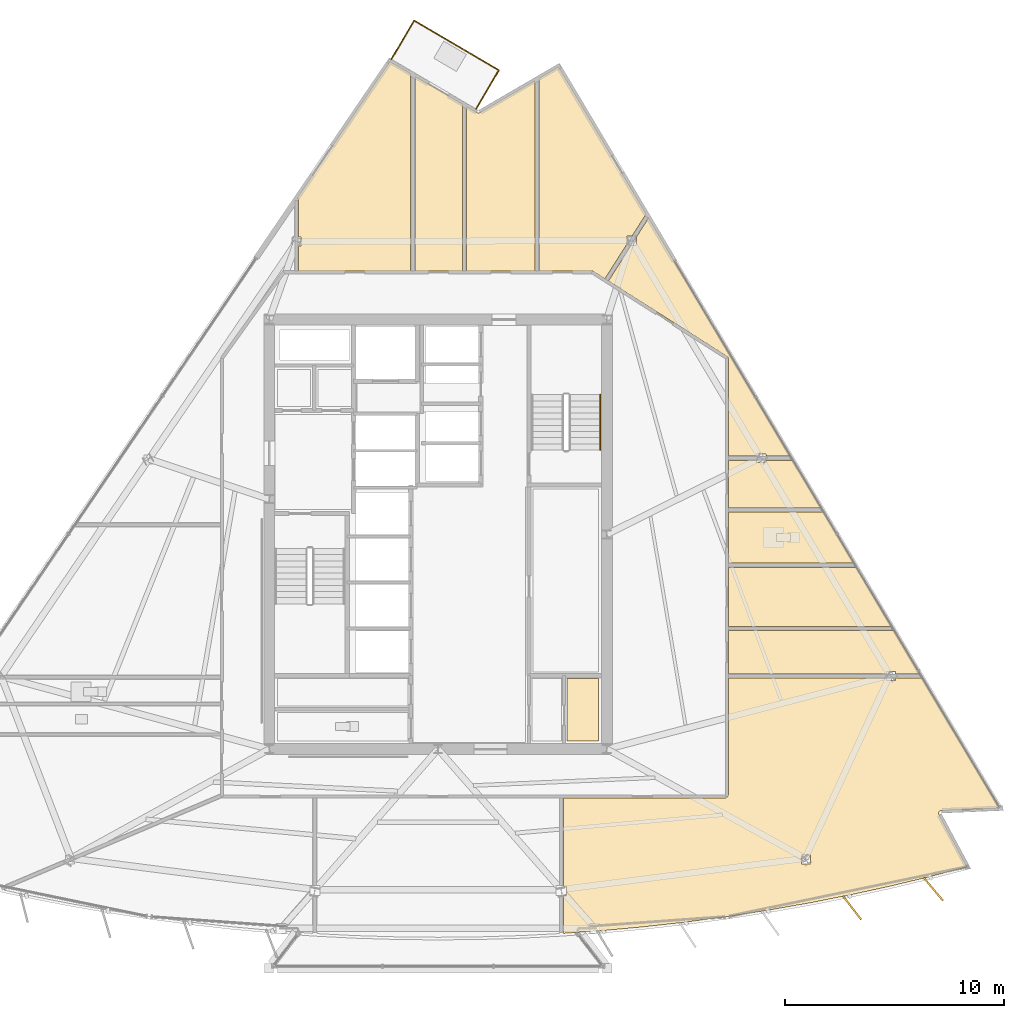
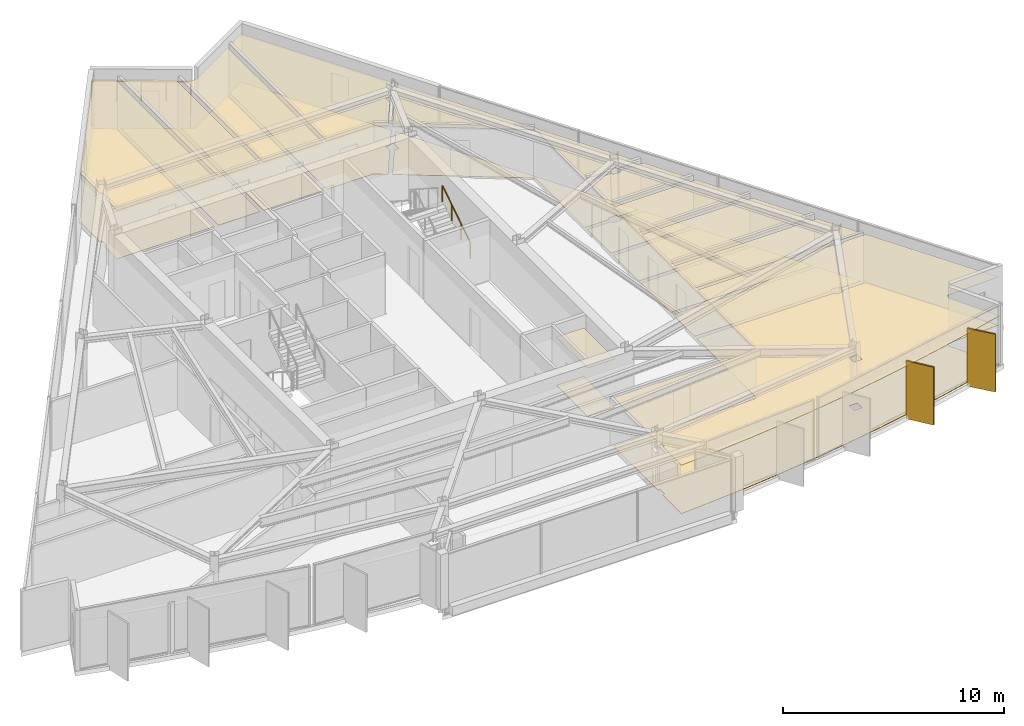
# One storey, part 13 of 14: 22 coverings, 4 railings, 2 shading devices.
"""IFC4 building model written with IfcOpenShell, lengths in metres."""

from ifc_helpers import new_model, si_unit, direction, frame, origin, origin_2d, place, context, subcontext, project, spatial, polyline, rectangle, circle, outline, extrude, material, layer, layer_set, type_object, element, save


model = new_model("IFC4")

# Units and contexts
model_context = context("Model", 3, precision=1e-05, world=origin(), true_north=direction((0.0, 1.0)))
body_context = subcontext(model_context, "Body", "Model", "MODEL_VIEW")
ifc_project = project(units=[si_unit("LENGTHUNIT", "METRE"), si_unit("AREAUNIT", "SQUARE_METRE"), si_unit("VOLUMEUNIT", "CUBIC_METRE"), si_unit("PLANEANGLEUNIT", "RADIAN"), si_unit("MASSUNIT", "GRAM", prefix="KILO")], contexts=[model_context])

# Site, building, storey
site_placement = place(None, origin())
site = spatial("IfcSite", under=ifc_project, at=site_placement, CompositionType="ELEMENT")
building_placement = place(site_placement, origin())
building = spatial("IfcBuilding", under=site, at=building_placement, Name="Savorim Split Tower", CompositionType="ELEMENT")
storey_placement = place(building_placement, frame((0.0, 0.0, 205.5)))
storey = spatial("IfcBuildingStorey", under=building, at=storey_placement, Name="L54", CompositionType="ELEMENT", Elevation=205.5)

# Coverings
ifc_material_1 = material(Name="Mineral Fibre Acoustic Ceiling")
ifc_layer_1 = layer(ifc_material_1, 0.02490234375)
ifc_layer_set_1 = layer_set([ifc_layer_1], Name="COV-CEIL-25")
covering_type_1 = type_object("IfcCoveringType", Name="COV-CEIL-25", PredefinedType="CEILING", material=ifc_layer_set_1)
covering_1_placement = place(storey_placement, frame((0.0, 0.0, 2.669921875)))
element("IfcCovering", 1, at=covering_1_placement, inside=storey, type_object=covering_type_1, Name="L54 Recycling Chute Room Acoustic Ceiling", PredefinedType="CEILING", context=body_context, shape_type="SweptSolid", body=[
    extrude(outline(polyline([(5.8798828125, -6.179931640625), (5.8798828125, -9.02001953125), (7.320068359375, -9.02001953125), (7.320068359375, -6.179931640625), (5.8798828125, -6.179931640625)])), origin(), (0.0, 0.0, 1.0), 0.025146484375),
])
covering_2_placement = place(storey_placement, frame((0.0, 0.0, 2.669921875)))
element("IfcCovering", 2, at=covering_2_placement, inside=storey, type_object=covering_type_1, Name="L54 Co-Working Commons Acoustic Ceiling", PredefinedType="CEILING", context=body_context, shape_type="SweptSolid", body=[
    extrude(outline(polyline([(22.926513671875, -12.2060546875), (22.93798828125, -12.203857421875), (22.949462890625, -12.202880859375), (25.611083984375, -12.089599609375), (22.06884765625, -6.13232421875), (22.06884765625, -6.165283203125), (20.86474609375, -6.165283203125), (20.86474609375, -6.27392578125), (20.44677734375, -6.27392578125), (20.44677734375, -6.165283203125), (13.239990234375, -6.165283203125), (13.239990234375, -11.47998046875), (13.2392578125, -11.49365234375), (13.2373046875, -11.50732421875), (13.23388671875, -11.5205078125), (13.229248046875, -11.53369140625), (13.223388671875, -11.5458984375), (13.21630859375, -11.557861328125), (13.208251953125, -11.56884765625), (13.198974609375, -11.5791015625), (13.188720703125, -11.588134765625), (13.177734375, -11.596435546875), (13.166015625, -11.603515625), (13.153564453125, -11.609375), (13.140625, -11.614013671875), (13.127197265625, -11.6171875), (13.11376953125, -11.619384765625), (13.10009765625, -11.6201171875), (5.719970703125, -11.6201171875), (5.719970703125, -15.66845703125), (5.833984375, -15.66845703125), (5.833984375, -16.075439453125), (5.719970703125, -16.075439453125), (5.719970703125, -17.760498046875), (5.719970703125, -17.804443359375), (7.55078125, -17.673095703125), (9.4326171875, -17.49951171875), (11.310302734375, -17.287109375), (13.18359375, -17.03662109375), (15.051025390625, -16.74755859375), (16.912353515625, -16.420654296875), (18.7666015625, -16.055419921875), (20.61279296875, -15.652587890625), (22.450439453125, -15.2119140625), (24.132568359375, -14.772216796875), (22.848876953125, -12.37939453125), (22.84375, -12.368896484375), (22.83984375, -12.358154296875), (22.8369140625, -12.346923828125), (22.835205078125, -12.335693359375), (22.83447265625, -12.32421875), (22.8349609375, -12.3125), (22.83642578125, -12.301025390625), (22.839111328125, -12.289794921875), (22.8427734375, -12.27880859375), (22.847412109375, -12.268310546875), (22.853271484375, -12.25830078125), (22.85986328125, -12.248779296875), (22.867431640625, -12.240234375), (22.875732421875, -12.232177734375), (22.884765625, -12.22509765625), (22.89453125, -12.21875), (22.90478515625, -12.21337890625), (22.91552734375, -12.209228515625), (22.926513671875, -12.2060546875)]), holes=[polyline([(16.9921875, -14.642578125), (16.9921875, -14.235595703125), (16.57421875, -14.235595703125), (16.57421875, -14.642578125), (16.9921875, -14.642578125)])]), origin(), (0.0, 0.0, 1.0), 0.025146484375),
])
covering_3_placement = place(storey_placement, frame((0.0, 0.0, 2.669921875)))
element("IfcCovering", 3, at=covering_3_placement, inside=storey, type_object=covering_type_1, Name="L54 Quiet Study Room Acoustic Ceiling", PredefinedType="CEILING", context=body_context, shape_type="SweptSolid", body=[
    extrude(outline(polyline([(20.86474609375, -5.866943359375), (20.86474609375, -5.975341796875), (21.973876953125, -5.975341796875), (21.9755859375, -5.975341796875), (20.795166015625, -3.990234375), (13.239990234375, -3.990234375), (13.239990234375, -5.975341796875), (20.44677734375, -5.975341796875), (20.44677734375, -5.866943359375), (20.86474609375, -5.866943359375)])), origin(), (0.0, 0.0, 1.0), 0.025146484375),
])
covering_4_placement = place(storey_placement, frame((0.0, 0.0, 2.669921875)))
element("IfcCovering", 4, at=covering_4_placement, inside=storey, type_object=covering_type_1, Name="L54 Co-Working Commons Acoustic Ceiling", PredefinedType="CEILING", context=body_context, shape_type="SweptSolid", body=[
    extrude(outline(polyline([(20.68212890625, -3.80029296875), (19.08154296875, -1.1083984375), (13.239990234375, -1.1083984375), (13.239990234375, -3.80029296875), (20.68212890625, -3.80029296875)])), origin(), (0.0, 0.0, 1.0), 0.025146484375),
])
covering_5_placement = place(storey_placement, frame((0.0, 0.0, 2.669921875)))
element("IfcCovering", 5, at=covering_5_placement, inside=storey, type_object=covering_type_1, Name="L54 Shared Bathroom Acoustic Ceiling", PredefinedType="CEILING", context=body_context, shape_type="SweptSolid", body=[
    extrude(outline(polyline([(18.968505859375, -0.91845703125), (17.578125, 1.420166015625), (13.239990234375, 1.420166015625), (13.239990234375, -0.91845703125), (18.968505859375, -0.91845703125)])), origin(), (0.0, 0.0, 1.0), 0.025146484375),
])
covering_6_placement = place(storey_placement, frame((0.0, 0.0, 2.669921875)))
element("IfcCovering", 6, at=covering_6_placement, inside=storey, type_object=covering_type_1, Name="L54 Co-Living Bedroom Acoustic Ceiling", PredefinedType="CEILING", context=body_context, shape_type="SweptSolid", body=[
    extrude(outline(polyline([(14.537109375, 3.66455078125), (14.537109375, 3.77294921875), (13.239990234375, 3.77294921875), (13.239990234375, 1.610107421875), (17.465087890625, 1.610107421875), (16.1591796875, 3.80615234375), (16.1591796875, 3.77294921875), (14.955078125, 3.77294921875), (14.955078125, 3.66455078125), (14.537109375, 3.66455078125)])), origin(), (0.0, 0.0, 1.0), 0.025146484375),
])
covering_7_placement = place(storey_placement, frame((0.0, 0.0, 2.669921875)))
element("IfcCovering", 7, at=covering_7_placement, inside=storey, type_object=covering_type_1, Name="L54 Co-Working Commons Acoustic Ceiling", PredefinedType="CEILING", context=body_context, shape_type="SweptSolid", body=[
    extrude(outline(polyline([(14.955078125, 4.071533203125), (14.955078125, 3.962890625), (16.064208984375, 3.962890625), (16.06591796875, 3.962890625), (9.602294921875, 14.83349609375), (9.04541015625, 13.9580078125), (9.04541015625, 13.602783203125), (8.819580078125, 13.602783203125), (7.771484375, 11.955078125), (13.175048828125, 8.51806640625), (13.1865234375, 8.510009765625), (13.197265625, 8.500732421875), (13.206787109375, 8.490478515625), (13.21533203125, 8.479248046875), (13.22265625, 8.46728515625), (13.22900390625, 8.45458984375), (13.233642578125, 8.44140625), (13.2373046875, 8.427978515625), (13.2392578125, 8.4140625), (13.239990234375, 8.39990234375), (13.239990234375, 3.962890625), (14.537109375, 3.962890625), (14.537109375, 4.071533203125), (14.955078125, 4.071533203125)])), origin(), (0.0, 0.0, 1.0), 0.025146484375),
])
covering_8_placement = place(storey_placement, frame((0.0, 0.0, 2.669921875)))
element("IfcCovering", 8, at=covering_8_placement, inside=storey, type_object=covering_type_1, Name="L54 Co-Working Commons Acoustic Ceiling", PredefinedType="CEILING", context=body_context, shape_type="SweptSolid", body=[
    extrude(outline(polyline([(9.488525390625, 15.0087890625), (9.503662109375, 14.999267578125), (5.499267578125, 21.7333984375), (4.611083984375, 21.216064453125), (4.611083984375, 12.419921875), (7.0, 12.419921875), (7.01318359375, 12.41943359375), (7.0263671875, 12.41748046875), (7.0390625, 12.414306640625), (7.051513671875, 12.41015625), (7.063720703125, 12.40478515625), (7.0751953125, 12.398193359375), (7.611083984375, 12.05712890625), (8.62744140625, 13.65478515625), (8.62744140625, 14.010009765625), (8.853271484375, 14.010009765625), (9.4375, 14.9287109375), (9.488525390625, 15.0087890625)])), origin(), (0.0, 0.0, 1.0), 0.025146484375),
])
covering_9_placement = place(storey_placement, frame((0.0, 0.0, 2.669921875)))
element("IfcCovering", 9, at=covering_9_placement, inside=storey, type_object=covering_type_1, Name="L54 Co-Working Commons Acoustic Ceiling", PredefinedType="CEILING", context=body_context, shape_type="SweptSolid", body=[
    extrude(outline(polyline([(1.800537109375, 19.626708984375), (1.789794921875, 19.631103515625), (1.779541015625, 19.636474609375), (1.29541015625, 19.921142578125), (1.29541015625, 12.419921875), (4.421142578125, 12.419921875), (4.421142578125, 21.105224609375), (1.90087890625, 19.63623046875), (1.890625, 19.631103515625), (1.8798828125, 19.626708984375), (1.868896484375, 19.623291015625), (1.857421875, 19.62109375), (1.845947265625, 19.6201171875), (1.83447265625, 19.6201171875), (1.822998046875, 19.621337890625), (1.8115234375, 19.62353515625), (1.800537109375, 19.626708984375)])), origin(), (0.0, 0.0, 1.0), 0.025146484375),
])
covering_10_placement = place(storey_placement, frame((0.0, 0.0, 2.669921875)))
element("IfcCovering", 10, at=covering_10_placement, inside=storey, type_object=covering_type_1, Name="L54 Co-Working Commons Acoustic Ceiling", PredefinedType="CEILING", context=body_context, shape_type="SweptSolid", body=[
    extrude(outline(polyline([(-1.059326171875, 12.419921875), (1.10546875, 12.419921875), (1.10546875, 20.03271484375), (-1.059326171875, 21.30517578125), (-1.059326171875, 12.419921875)])), origin(), (0.0, 0.0, 1.0), 0.025146484375),
])
covering_11_placement = place(storey_placement, frame((0.0, 0.0, 2.669921875)))
element("IfcCovering", 11, at=covering_11_placement, inside=storey, type_object=covering_type_1, Name="L54 Co-Working Commons Acoustic Ceiling", PredefinedType="CEILING", context=body_context, shape_type="SweptSolid", body=[
    extrude(outline(polyline([(-6.360595703125, 12.419921875), (-1.24951171875, 12.419921875), (-1.24951171875, 21.416748046875), (-2.197021484375, 21.9736328125), (-6.451416015625, 15.719482421875), (-6.360595703125, 15.719482421875), (-6.360595703125, 13.961181640625), (-6.24658203125, 13.961181640625), (-6.24658203125, 13.55419921875), (-6.360595703125, 13.55419921875), (-6.360595703125, 12.419921875)])), origin(), (0.0, 0.0, 1.0), 0.025146484375),
])
ifc_material_2 = material(Name="Porcelain Stoneware Flooring", Category="masonry")
ifc_layer_2 = layer(ifc_material_2, 0.02001953125)
ifc_layer_set_2 = layer_set([ifc_layer_2], Name="COV-FLOR-20")
covering_type_2 = type_object("IfcCoveringType", Name="COV-FLOR-20", PredefinedType="FLOORING", material=ifc_layer_set_2)
covering_12_placement = place(storey_placement, origin())
element("IfcCovering", 12, at=covering_12_placement, inside=storey, type_object=covering_type_2, Name="L54 Recycling Chute Room Porcelain Flooring", PredefinedType="FLOORING", context=body_context, shape_type="SweptSolid", body=[
    extrude(outline(polyline([(5.8798828125, -6.179931640625), (5.8798828125, -9.02001953125), (7.320068359375, -9.02001953125), (7.320068359375, -6.179931640625), (5.8798828125, -6.179931640625)])), origin(), (0.0, 0.0, 1.0), 0.02001953125),
])
covering_13_placement = place(storey_placement, origin())
element("IfcCovering", 13, at=covering_13_placement, inside=storey, type_object=covering_type_2, Name="L54 Co-Working Commons Porcelain Flooring", PredefinedType="FLOORING", context=body_context, shape_type="SweptSolid", body=[
    extrude(outline(polyline([(22.926513671875, -12.2060546875), (22.93798828125, -12.203857421875), (22.949462890625, -12.202880859375), (25.611083984375, -12.089599609375), (22.06884765625, -6.13232421875), (22.06884765625, -6.165283203125), (20.86474609375, -6.165283203125), (20.86474609375, -6.27392578125), (20.44677734375, -6.27392578125), (20.44677734375, -6.165283203125), (13.239990234375, -6.165283203125), (13.239990234375, -11.47998046875), (13.2392578125, -11.49365234375), (13.2373046875, -11.50732421875), (13.23388671875, -11.5205078125), (13.229248046875, -11.53369140625), (13.223388671875, -11.5458984375), (13.21630859375, -11.557861328125), (13.208251953125, -11.56884765625), (13.198974609375, -11.5791015625), (13.188720703125, -11.588134765625), (13.177734375, -11.596435546875), (13.166015625, -11.603515625), (13.153564453125, -11.609375), (13.140625, -11.614013671875), (13.127197265625, -11.6171875), (13.11376953125, -11.619384765625), (13.10009765625, -11.6201171875), (5.719970703125, -11.6201171875), (5.719970703125, -15.66845703125), (5.833984375, -15.66845703125), (5.833984375, -16.075439453125), (5.719970703125, -16.075439453125), (5.719970703125, -17.760498046875), (5.719970703125, -17.804443359375), (7.55078125, -17.673095703125), (9.4326171875, -17.49951171875), (11.310302734375, -17.287109375), (13.18359375, -17.03662109375), (15.051025390625, -16.74755859375), (16.912353515625, -16.420654296875), (18.7666015625, -16.055419921875), (20.61279296875, -15.652587890625), (22.450439453125, -15.2119140625), (24.132568359375, -14.772216796875), (22.848876953125, -12.37939453125), (22.84375, -12.368896484375), (22.83984375, -12.358154296875), (22.8369140625, -12.346923828125), (22.835205078125, -12.335693359375), (22.83447265625, -12.32421875), (22.8349609375, -12.3125), (22.83642578125, -12.301025390625), (22.839111328125, -12.289794921875), (22.8427734375, -12.27880859375), (22.847412109375, -12.268310546875), (22.853271484375, -12.25830078125), (22.85986328125, -12.248779296875), (22.867431640625, -12.240234375), (22.875732421875, -12.232177734375), (22.884765625, -12.22509765625), (22.89453125, -12.21875), (22.90478515625, -12.21337890625), (22.91552734375, -12.209228515625), (22.926513671875, -12.2060546875)]), holes=[polyline([(16.9921875, -14.642578125), (16.9921875, -14.235595703125), (16.57421875, -14.235595703125), (16.57421875, -14.642578125), (16.9921875, -14.642578125)])]), origin(), (0.0, 0.0, 1.0), 0.02001953125),
])
covering_14_placement = place(storey_placement, origin())
element("IfcCovering", 14, at=covering_14_placement, inside=storey, type_object=covering_type_2, Name="L54 Quiet Study Room Porcelain Flooring", PredefinedType="FLOORING", context=body_context, shape_type="SweptSolid", body=[
    extrude(outline(polyline([(20.86474609375, -5.866943359375), (20.86474609375, -5.975341796875), (21.973876953125, -5.975341796875), (21.9755859375, -5.975341796875), (20.795166015625, -3.990234375), (13.239990234375, -3.990234375), (13.239990234375, -5.975341796875), (20.44677734375, -5.975341796875), (20.44677734375, -5.866943359375), (20.86474609375, -5.866943359375)])), origin(), (0.0, 0.0, 1.0), 0.02001953125),
])
covering_15_placement = place(storey_placement, origin())
element("IfcCovering", 15, at=covering_15_placement, inside=storey, type_object=covering_type_2, Name="L54 Co-Working Commons Porcelain Flooring", PredefinedType="FLOORING", context=body_context, shape_type="SweptSolid", body=[
    extrude(outline(polyline([(20.68212890625, -3.80029296875), (19.08154296875, -1.1083984375), (13.239990234375, -1.1083984375), (13.239990234375, -3.80029296875), (20.68212890625, -3.80029296875)])), origin(), (0.0, 0.0, 1.0), 0.02001953125),
])
covering_16_placement = place(storey_placement, origin())
element("IfcCovering", 16, at=covering_16_placement, inside=storey, type_object=covering_type_2, Name="L54 Shared Bathroom Porcelain Flooring", PredefinedType="FLOORING", context=body_context, shape_type="SweptSolid", body=[
    extrude(outline(polyline([(18.968505859375, -0.91845703125), (17.578125, 1.420166015625), (13.239990234375, 1.420166015625), (13.239990234375, -0.91845703125), (18.968505859375, -0.91845703125)])), origin(), (0.0, 0.0, 1.0), 0.02001953125),
])
covering_17_placement = place(storey_placement, origin())
element("IfcCovering", 17, at=covering_17_placement, inside=storey, type_object=covering_type_2, Name="L54 Co-Living Bedroom Porcelain Flooring", PredefinedType="FLOORING", context=body_context, shape_type="SweptSolid", body=[
    extrude(outline(polyline([(14.537109375, 3.66455078125), (14.537109375, 3.77294921875), (13.239990234375, 3.77294921875), (13.239990234375, 1.610107421875), (17.465087890625, 1.610107421875), (16.1591796875, 3.80615234375), (16.1591796875, 3.77294921875), (14.955078125, 3.77294921875), (14.955078125, 3.66455078125), (14.537109375, 3.66455078125)])), origin(), (0.0, 0.0, 1.0), 0.02001953125),
])
covering_18_placement = place(storey_placement, origin())
element("IfcCovering", 18, at=covering_18_placement, inside=storey, type_object=covering_type_2, Name="L54 Co-Working Commons Porcelain Flooring", PredefinedType="FLOORING", context=body_context, shape_type="SweptSolid", body=[
    extrude(outline(polyline([(14.955078125, 4.071533203125), (14.955078125, 3.962890625), (16.064208984375, 3.962890625), (16.06591796875, 3.962890625), (9.602294921875, 14.83349609375), (9.04541015625, 13.9580078125), (9.04541015625, 13.602783203125), (8.819580078125, 13.602783203125), (7.771484375, 11.955078125), (13.175048828125, 8.51806640625), (13.1865234375, 8.510009765625), (13.197265625, 8.500732421875), (13.206787109375, 8.490478515625), (13.21533203125, 8.479248046875), (13.22265625, 8.46728515625), (13.22900390625, 8.45458984375), (13.233642578125, 8.44140625), (13.2373046875, 8.427978515625), (13.2392578125, 8.4140625), (13.239990234375, 8.39990234375), (13.239990234375, 3.962890625), (14.537109375, 3.962890625), (14.537109375, 4.071533203125), (14.955078125, 4.071533203125)])), origin(), (0.0, 0.0, 1.0), 0.02001953125),
])
covering_19_placement = place(storey_placement, origin())
element("IfcCovering", 19, at=covering_19_placement, inside=storey, type_object=covering_type_2, Name="L54 Co-Working Commons Porcelain Flooring", PredefinedType="FLOORING", context=body_context, shape_type="SweptSolid", body=[
    extrude(outline(polyline([(9.488525390625, 15.0087890625), (9.503662109375, 14.999267578125), (5.499267578125, 21.7333984375), (4.611083984375, 21.216064453125), (4.611083984375, 12.419921875), (7.0, 12.419921875), (7.01318359375, 12.41943359375), (7.0263671875, 12.41748046875), (7.0390625, 12.414306640625), (7.051513671875, 12.41015625), (7.063720703125, 12.40478515625), (7.0751953125, 12.398193359375), (7.611083984375, 12.05712890625), (8.62744140625, 13.65478515625), (8.62744140625, 14.010009765625), (8.853271484375, 14.010009765625), (9.4375, 14.9287109375), (9.488525390625, 15.0087890625)])), origin(), (0.0, 0.0, 1.0), 0.02001953125),
])
covering_20_placement = place(storey_placement, origin())
element("IfcCovering", 20, at=covering_20_placement, inside=storey, type_object=covering_type_2, Name="L54 Co-Working Commons Porcelain Flooring", PredefinedType="FLOORING", context=body_context, shape_type="SweptSolid", body=[
    extrude(outline(polyline([(1.800537109375, 19.626708984375), (1.789794921875, 19.631103515625), (1.779541015625, 19.636474609375), (1.29541015625, 19.921142578125), (1.29541015625, 12.419921875), (4.421142578125, 12.419921875), (4.421142578125, 21.105224609375), (1.90087890625, 19.63623046875), (1.890625, 19.631103515625), (1.8798828125, 19.626708984375), (1.868896484375, 19.623291015625), (1.857421875, 19.62109375), (1.845947265625, 19.6201171875), (1.83447265625, 19.6201171875), (1.822998046875, 19.621337890625), (1.8115234375, 19.62353515625), (1.800537109375, 19.626708984375)])), origin(), (0.0, 0.0, 1.0), 0.02001953125),
])
covering_21_placement = place(storey_placement, origin())
element("IfcCovering", 21, at=covering_21_placement, inside=storey, type_object=covering_type_2, Name="L54 Co-Working Commons Porcelain Flooring", PredefinedType="FLOORING", context=body_context, shape_type="SweptSolid", body=[
    extrude(outline(polyline([(-1.059326171875, 12.419921875), (1.10546875, 12.419921875), (1.10546875, 20.03271484375), (-1.059326171875, 21.30517578125), (-1.059326171875, 12.419921875)])), origin(), (0.0, 0.0, 1.0), 0.02001953125),
])
covering_22_placement = place(storey_placement, origin())
element("IfcCovering", 22, at=covering_22_placement, inside=storey, type_object=covering_type_2, Name="L54 Co-Working Commons Porcelain Flooring", PredefinedType="FLOORING", context=body_context, shape_type="SweptSolid", body=[
    extrude(outline(polyline([(-6.360595703125, 12.419921875), (-1.24951171875, 12.419921875), (-1.24951171875, 21.416748046875), (-2.197021484375, 21.9736328125), (-6.451416015625, 15.719482421875), (-6.360595703125, 15.719482421875), (-6.360595703125, 13.961181640625), (-6.24658203125, 13.961181640625), (-6.24658203125, 13.55419921875), (-6.360595703125, 13.55419921875), (-6.360595703125, 12.419921875)])), origin(), (0.0, 0.0, 1.0), 0.02001953125),
])

# Railings
ifc_material_3 = material(Name="Galvanised Painted Steel Balustrade", Category="steel")
railing_type_1 = type_object("IfcRailingType", Name="RLG-BAL-1100", PredefinedType="BALUSTRADE", material=ifc_material_3)
railing_1_placement = place(storey_placement, frame((-2.12939453125, 22.0732421875, 0.0)))
element("IfcRailing", 23, at=railing_1_placement, inside=storey, type_object=railing_type_1, Name="L54 Tree Balcony Guardrail N-1", PredefinedType="BALUSTRADE", context=body_context, shape_type="SweptSolid", body=[
    extrude(circle(Radius=0.02392578125, at=origin_2d()), frame((0.0, 0.0, 1.076171875), z_axis=(0.50664533146, 0.862154573211, 0.0), x_axis=(-0.862154573211, 0.50664533146, 0.0)), (0.0, 0.0, 1.0), 2.0498046875),
    extrude(circle(Radius=0.02099609375, at=origin_2d()), origin(), (0.0, 0.0, 1.0), 1.052001953125),
    extrude(circle(Radius=0.02099609375, at=origin_2d()), frame((0.519287109375, 0.8837890625, 0.0)), (0.0, 0.0, 1.0), 1.052001953125),
    extrude(circle(Radius=0.02099609375, at=origin_2d()), frame((1.03857421875, 1.767333984375, 0.0)), (0.0, 0.0, 1.0), 1.052001953125),
])
railing_2_placement = place(storey_placement, frame((-1.0908203125, 23.840576171875, 0.0)))
element("IfcRailing", 24, at=railing_2_placement, inside=storey, type_object=railing_type_1, Name="L54 Tree Balcony Guardrail N-2", PredefinedType="BALUSTRADE", context=body_context, shape_type="SweptSolid", body=[
    extrude(circle(Radius=0.02392578125, at=origin_2d()), frame((0.0, 0.0, 1.076171875), z_axis=(0.86212167761, -0.506701305499, 0.0), x_axis=(0.506701305499, 0.86212167761, 0.0)), (0.0, 0.0, 1.0), 4.48486328125),
    extrude(circle(Radius=0.02099609375, at=origin_2d()), origin(), (0.0, 0.0, 1.0), 1.052001953125),
    extrude(circle(Radius=0.02099609375, at=origin_2d()), frame((0.966552734375, -0.568115234375, 0.0)), (0.0, 0.0, 1.0), 1.052001953125),
    extrude(circle(Radius=0.02099609375, at=origin_2d()), frame((1.93310546875, -1.13623046875, 0.0)), (0.0, 0.0, 1.0), 1.052001953125),
    extrude(circle(Radius=0.02099609375, at=origin_2d()), frame((2.89990234375, -1.704345703125, 0.0)), (0.0, 0.0, 1.0), 1.052001953125),
    extrude(circle(Radius=0.02099609375, at=origin_2d()), frame((3.866455078125, -2.2724609375, 0.0)), (0.0, 0.0, 1.0), 1.052001953125),
])
railing_3_placement = place(storey_placement, frame((2.775634765625, 21.568115234375, 0.0)))
element("IfcRailing", 25, at=railing_3_placement, inside=storey, type_object=railing_type_1, Name="L54 Tree Balcony Guardrail N-3", PredefinedType="BALUSTRADE", context=body_context, shape_type="SweptSolid", body=[
    extrude(circle(Radius=0.02392578125, at=origin_2d()), frame((0.0, 0.0, 1.076171875), z_axis=(-0.506733850669, -0.862102548764, 0.0), x_axis=(0.862102548764, -0.506733850669, 0.0)), (0.0, 0.0, 1.0), 2.050048828125),
    extrude(circle(Radius=0.02099609375, at=origin_2d()), origin(), (0.0, 0.0, 1.0), 1.052001953125),
    extrude(circle(Radius=0.02099609375, at=origin_2d()), frame((-0.51953125, -0.8837890625, 0.0)), (0.0, 0.0, 1.0), 1.052001953125),
    extrude(circle(Radius=0.02099609375, at=origin_2d()), frame((-1.038818359375, -1.767333984375, 0.0)), (0.0, 0.0, 1.0), 1.052001953125),
])
railing_type_2 = type_object("IfcRailingType", Name="RLG-HR-900", PredefinedType="HANDRAIL", material=ifc_material_3)
railing_4_placement = place(storey_placement, frame((7.39990234375, 4.25, 0.179931640625)))
element("IfcRailing", 26, at=railing_4_placement, inside=storey, type_object=railing_type_2, Name="L54 ST-2 stair handrail 1", PredefinedType="HANDRAIL", context=body_context, shape_type="SweptSolid", body=[
    extrude(circle(Radius=0.02392578125, at=origin_2d()), frame((0.0, 0.0, 0.8759765625), z_axis=(0.0, 0.841162588446, 0.540782303519), x_axis=(-1.0, 0.0, 0.0)), (0.0, 0.0, 1.0), 2.995849609375),
    extrude(circle(Radius=0.02099609375, at=origin_2d()), origin(), (0.0, 0.0, 1.0), 0.851806640625),
    extrude(circle(Radius=0.02099609375, at=origin_2d()), frame((0.0, 0.840087890625, 0.5400390625)), (0.0, 0.0, 1.0), 0.851806640625),
    extrude(circle(Radius=0.02099609375, at=origin_2d()), frame((0.0, 1.679931640625, 1.080078125)), (0.0, 0.0, 1.0), 0.851806640625),
    extrude(circle(Radius=0.02099609375, at=origin_2d()), frame((0.0, 2.52001953125, 1.6201171875)), (0.0, 0.0, 1.0), 0.851806640625),
])

# Shading devices
ifc_material_4 = material(Name="Terracotta Ceramic-Coated Aluminium Fin", Category="masonry")
shading_device_type = type_object("IfcShadingDeviceType", Name="SHD-FIN-1360", PredefinedType="USERDEFINED", material=ifc_material_4)
for number, where, z_axis, x_axis, name in (
    (27, (18.8876953125, -16.63916015625, -0.2001953125), (0.0, 0.0, 1.0), (0.611868076908, -0.790959832394, 0.0), "L54 Sawtooth Shading Fin 12"),
    (28, (22.595458984375, -15.7900390625, -0.2001953125), (0.0, 0.0, 1.0), (0.643719022682, -0.765261928909, 0.0), "L54 Sawtooth Shading Fin 13"),
):
    element("IfcShadingDevice", number, at=place(storey_placement, frame(where, z_axis=z_axis, x_axis=x_axis)), inside=storey, type_object=shading_device_type, Name=name, ObjectType="FIN", PredefinedType="USERDEFINED", context=body_context, shape_type="SweptSolid", body=[
        extrude(rectangle(XDim=1.360107421875, YDim=0.080078125, at=origin_2d()), origin(), (0.0, 0.0, 1.0), 3.199951171875),
    ])

save(model, "model.ifc")
